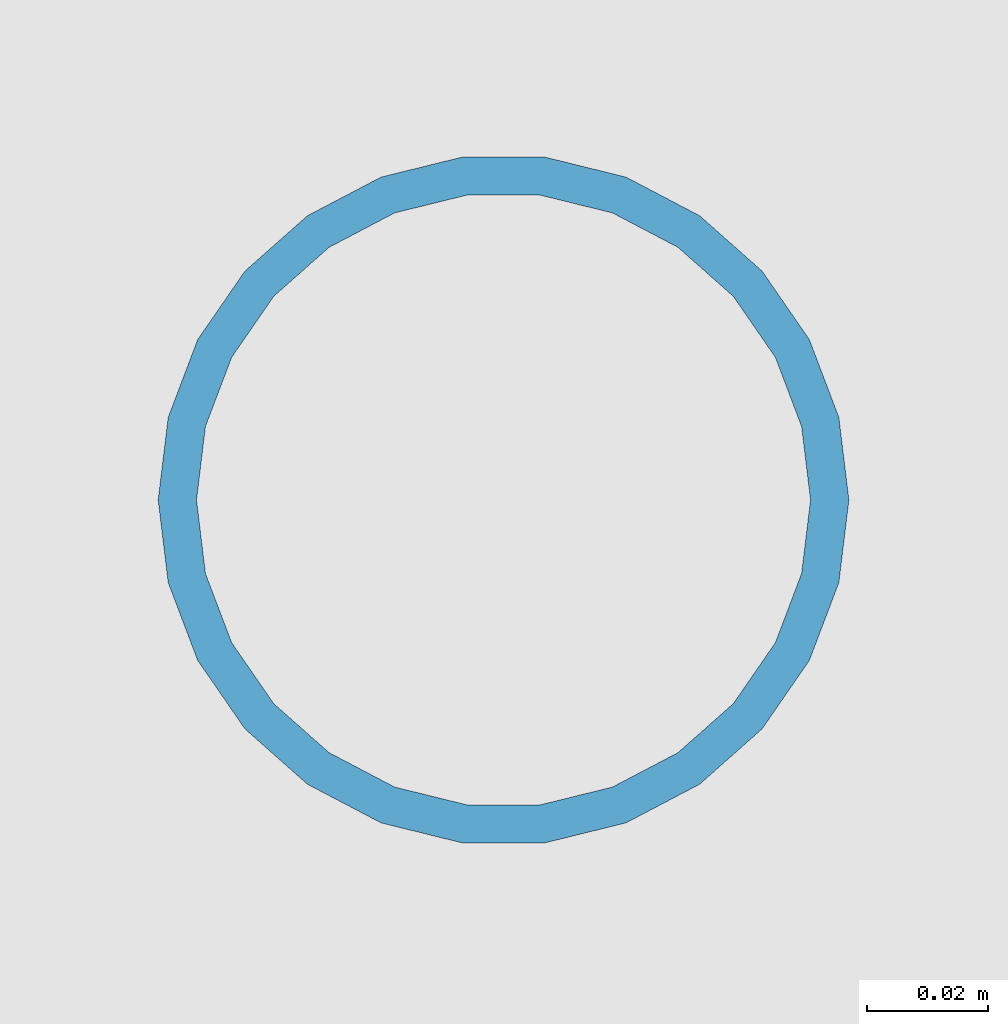
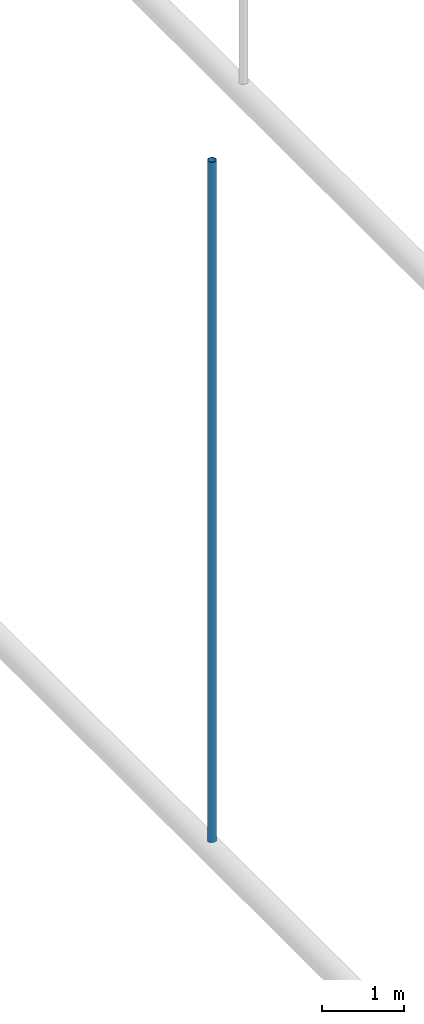
# One storey, part 80 of 167: 1 member.
"""IFC4 building model written with IfcOpenShell, lengths in metres."""

from ifc_helpers import new_model, si_unit, direction, frame, origin, origin_2d, place, context, subcontext, project, spatial, hollow_circle, extrude, material, material_profile, profile_set, type_object, element, save


model = new_model("IFC4")

# Units and contexts
model_context = context("Model", 3, precision=1e-05, world=origin(), true_north=direction((0.0, 1.0)))
body_context = subcontext(model_context, "Body", "Model", "MODEL_VIEW")
ifc_project = project(units=[si_unit("LENGTHUNIT", "METRE"), si_unit("AREAUNIT", "SQUARE_METRE"), si_unit("VOLUMEUNIT", "CUBIC_METRE"), si_unit("PLANEANGLEUNIT", "RADIAN"), si_unit("MASSUNIT", "GRAM", prefix="KILO")], contexts=[model_context])

# Site, building, storey
site_placement = place(None, origin())
site = spatial("IfcSite", under=ifc_project, at=site_placement, CompositionType="ELEMENT")
building_placement = place(site_placement, origin())
building = spatial("IfcBuilding", under=site, at=building_placement, Name="Catenary Quay Ferry Terminal", CompositionType="ELEMENT")
storey_placement = place(building_placement, frame((0.0, 0.0, 6.0)))
storey = spatial("IfcBuildingStorey", under=building, at=storey_placement, Name="L01", CompositionType="ELEMENT", Elevation=6.0)

# Member
ifc_material = material(Name="Steel S355", Category="steel")
ifc_material_profile = material_profile(ifc_material, hollow_circle(Radius=0.05712890625, WallThickness=0.00634765625, at=origin_2d()), Name="CHS 114.3x6.3")
ifc_profile_set = profile_set([ifc_material_profile], Name="Steel S355")
member_type = type_object("IfcMemberType", Name="HG1 CHS 114.3x6.3", PredefinedType="POST", material=ifc_profile_set)
member_placement = place(storey_placement, frame((67.199951171875, 119.110107421875, 4.654052734375), z_axis=(0.0, 0.0, 1.0), x_axis=(1.0, 0.0, 0.0)))
element("IfcMember", 1, at=member_placement, inside=storey, type_object=member_type, Name="Hanger VD-06-04", PredefinedType="POST", context=body_context, shape_type="SweptSolid", body=[
    extrude(hollow_circle(Radius=0.05712890625, WallThickness=0.00634765625, at=origin_2d()), origin(), (0.0, 0.0, 1.0), 10.137939453125),
])

save(model, "model.ifc")
